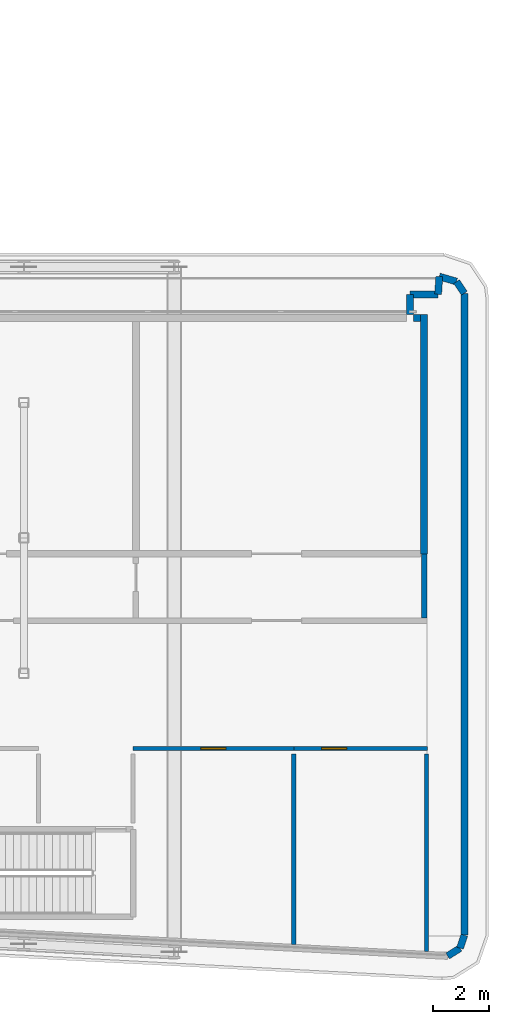
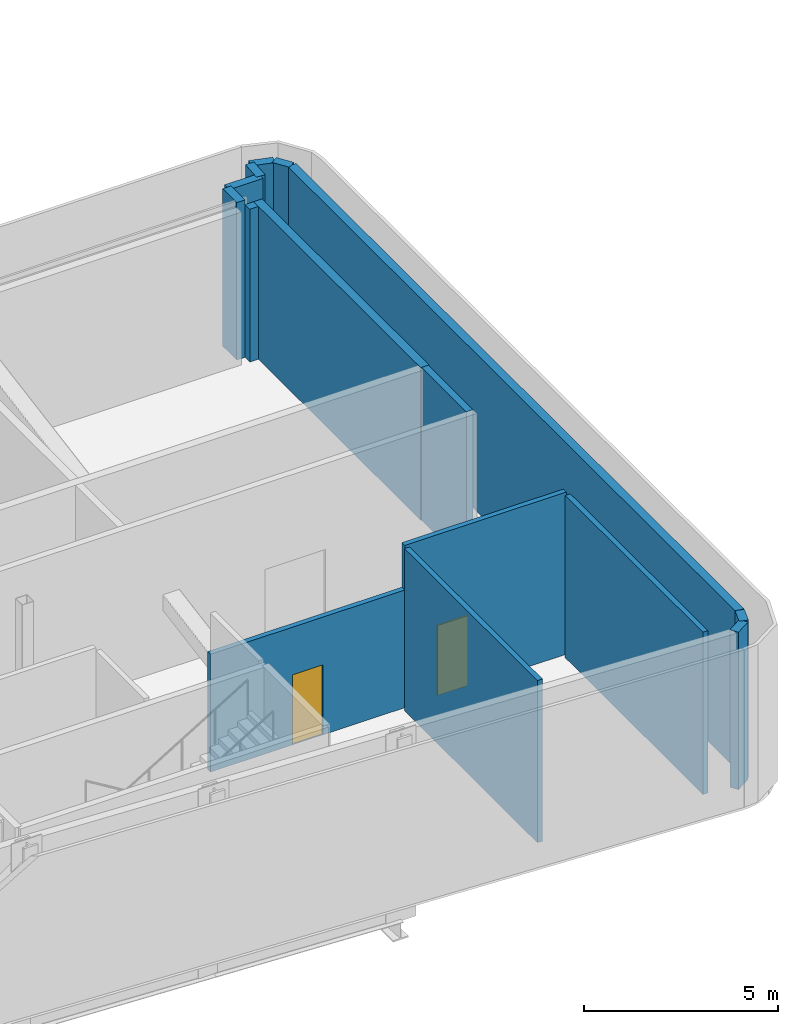
# One storey, part 22 of 30: 15 walls, 2 doors, 2 openings.
"""IFC4 building model written with IfcOpenShell, lengths in metres."""

import ifcopenshell
import ifcopenshell.guid

model = None  # the IFC model being written
_history = None  # IfcOwnerHistory: only IFC2X3 demands one
_inside = {}  # id of a spatial element -> (the spatial element, [elements in it])
_under = {}  # id of a project, library or spatial element -> (it, [spatial elements below it])
_declared = {}  # id of a project -> (the project, [libraries it declares])
_typed = {}  # id of a type object -> (the type object, [elements of that type])
_made_of = {}  # id of a material, layer set ... -> (it, [elements and type objects made of it])


def new_model(schema):
    """Start an empty IFC model of exactly this schema.

    Asked for "IFC4X3", IfcOpenShell would pick the latest addendum, in which some entities
    have other attributes; the version numbers below select the first issue.
    IFC2X3 requires an IfcOwnerHistory on every rooted entity: one is made here for all.
    """
    global model, _history
    if schema == "IFC4X3":
        model = ifcopenshell.file(schema_version=(4, 3, 0, 0))
    else:
        model = ifcopenshell.file(schema=schema)
    _inside.clear()
    _under.clear()
    _declared.clear()
    _typed.clear()
    _made_of.clear()
    _history = None
    if model.schema == "IFC2X3":
        org = make("IfcOrganization", Name="unknown")
        user = make(
            "IfcPersonAndOrganization",
            ThePerson=make("IfcPerson", FamilyName="unknown"),
            TheOrganization=org,
        )
        app = make(
            "IfcApplication",
            ApplicationDeveloper=org,
            Version="unknown",
            ApplicationFullName="unknown",
            ApplicationIdentifier="unknown",
        )
        _history = make(
            "IfcOwnerHistory",
            OwningUser=user,
            OwningApplication=app,
            ChangeAction="ADDED",
            CreationDate=0,
        )
    return model


def make(cls, **values):
    """One entity of the class cls with the attributes given. An attribute that is None is left unset."""
    return model.create_entity(
        cls, **{name: value for name, value in values.items() if value is not None}
    )


def rooted(cls, **values):
    """An entity with a GlobalId (a new one), such as an element, a storey or a relation."""
    return make(cls, GlobalId=ifcopenshell.guid.new(), OwnerHistory=_history, **values)


def si_unit(unit_type, name, prefix=None):
    """IfcSIUnit, for example si_unit("LENGTHUNIT", "METRE", prefix="MILLI")."""
    return make("IfcSIUnit", UnitType=unit_type, Prefix=prefix, Name=name)


def assignment(units):
    """IfcUnitAssignment: the units of a project."""
    return None if units is None else make("IfcUnitAssignment", Units=units)


def point(xyz):
    """IfcCartesianPoint."""
    return None if xyz is None else make("IfcCartesianPoint", Coordinates=xyz)


def direction(xyz):
    """IfcDirection."""
    return None if xyz is None else make("IfcDirection", DirectionRatios=xyz)


def frame(location, z_axis=None, x_axis=None):
    """IfcAxis2Placement3D, a coordinate frame: its origin and axes. An axis left out is left unset."""
    return make(
        "IfcAxis2Placement3D",
        Location=point(location),
        Axis=direction(z_axis),
        RefDirection=direction(x_axis),
    )


def frame_2d(location, x_axis=None):
    """IfcAxis2Placement2D, a coordinate frame in the plane: its origin and x axis."""
    return make(
        "IfcAxis2Placement2D", Location=point(location), RefDirection=direction(x_axis)
    )


def origin():
    """The frame at (0, 0, 0) with its axes left unset."""
    return frame((0.0, 0.0, 0.0))


def place(relative_to, where):
    """IfcLocalPlacement: puts the frame where relative to a parent placement (None: the world)."""
    return make(
        "IfcLocalPlacement", PlacementRelTo=relative_to, RelativePlacement=where
    )


def context(
    kind, dimensions, precision=None, world=None, true_north=None, identifier=None
):
    """IfcGeometricRepresentationContext, for example the 3D "Model" context."""
    return make(
        "IfcGeometricRepresentationContext",
        ContextIdentifier=identifier,
        ContextType=kind,
        CoordinateSpaceDimension=dimensions,
        Precision=precision,
        WorldCoordinateSystem=world,
        TrueNorth=true_north,
    )


def subcontext(parent, identifier, kind, view, scale=None):
    """IfcGeometricRepresentationSubContext, for example "Body" below "Model"."""
    return make(
        "IfcGeometricRepresentationSubContext",
        ContextIdentifier=identifier,
        ContextType=kind,
        ParentContext=parent,
        TargetScale=scale,
        TargetView=view,
    )


def project(units=None, contexts=None):
    """IfcProject with its units and contexts."""
    return rooted(
        "IfcProject",
        Name="project",
        RepresentationContexts=contexts,
        UnitsInContext=assignment(units),
    )


def spatial(cls, under=None, at=None, **own):
    """A site, building, storey or space (cls), placed at a placement, below another one or the project."""
    s = rooted(cls, ObjectPlacement=at, **own)
    if under is not None:
        _under.setdefault(under.id(), (under, []))[1].append(s)
    return s


def profile(cls, at=None, kind="AREA", **sizes):
    """A parametric profile (cls). Its sizes go by their IFC names, for example OverallWidth=200.0."""
    return make(cls, ProfileType=kind, Position=at, **sizes)


def rectangle(**sizes):
    """IfcRectangleProfileDef."""
    return profile("IfcRectangleProfileDef", **sizes)


def extrude(swept, where, along, depth):
    """IfcExtrudedAreaSolid: the profile swept, set in the frame where, extruded along a direction by depth."""
    return make(
        "IfcExtrudedAreaSolid",
        SweptArea=swept,
        Position=where,
        ExtrudedDirection=direction(along),
        Depth=depth,
    )


def shape(context_of_items, identifier, shape_type, items):
    """IfcShapeRepresentation: the items that make up one representation, for example the "Body"."""
    return make(
        "IfcShapeRepresentation",
        ContextOfItems=context_of_items,
        RepresentationIdentifier=identifier,
        RepresentationType=shape_type,
        Items=items,
    )


def source(mapping_origin, context_of_items, identifier, shape_type, items):
    """IfcRepresentationMap: a shape defined once, which mapped items show again and again."""
    return make(
        "IfcRepresentationMap",
        MappingOrigin=mapping_origin,
        MappedRepresentation=shape(context_of_items, identifier, shape_type, items),
    )


def transform(
    local_origin,
    x_axis=None,
    y_axis=None,
    z_axis=None,
    scale=None,
    scale2=None,
    scale3=None,
    uniform=True,
):
    """IfcCartesianTransformationOperator3D, or its non-uniform kind. x_axis, y_axis, z_axis: its Axis1, 2, 3."""
    if uniform:
        return make(
            "IfcCartesianTransformationOperator3D",
            Axis1=direction(x_axis),
            Axis2=direction(y_axis),
            LocalOrigin=point(local_origin),
            Scale=scale,
            Axis3=direction(z_axis),
        )
    return make(
        "IfcCartesianTransformationOperator3DnonUniform",
        Axis1=direction(x_axis),
        Axis2=direction(y_axis),
        LocalOrigin=point(local_origin),
        Scale=scale,
        Axis3=direction(z_axis),
        Scale2=scale2,
        Scale3=scale3,
    )


def mapped(mapping_source, mapping_target):
    """IfcMappedItem: shows the shape of a source again, moved by a transform."""
    return make(
        "IfcMappedItem", MappingSource=mapping_source, MappingTarget=mapping_target
    )


def material(Name=None, Category=None):
    """IfcMaterial."""
    return make("IfcMaterial", Name=Name, Category=Category)


def layer(
    of_material, thickness, ventilated=None, Name=None, Category=None, Priority=None
):
    """IfcMaterialLayer: one layer of a wall or slab, of a material (None: an air gap)."""
    return make(
        "IfcMaterialLayer",
        Material=of_material,
        LayerThickness=thickness,
        IsVentilated=ventilated,
        Name=Name,
        Category=Category,
        Priority=Priority,
    )


def layer_set(layers, Name=None):
    """IfcMaterialLayerSet."""
    return make("IfcMaterialLayerSet", MaterialLayers=layers, LayerSetName=Name)


def made_of(thing, what):
    """Note that an element or type object is made of a material, layer set ...; save() writes the relation."""
    if what is not None:
        _made_of.setdefault(what.id(), (what, []))[1].append(thing)
    return thing


def type_object(cls, material=None, **own):
    """A type object (cls), such as IfcWallType, which elements share."""
    return made_of(rooted(cls, **own), material)


def element(
    cls,
    number,
    at=None,
    inside=None,
    cuts=None,
    type_object=None,
    material=None,
    context=None,
    identifier="Body",
    shape_type=None,
    held_by="IfcProductDefinitionShape",
    body=None,
    shapes=None,
    **own,
):
    """One element of the class cls, such as IfcWall. Its Tag is "e" and its number.

    at: its placement. inside: the storey or other place that contains it. cuts: it is an
    opening in that element (IfcRelVoidsElement). A single representation is given by context,
    identifier, shape_type and body (its items); several are given by shapes. held_by: the class
    of the entity that holds the representations. save() writes the other relations.
    """
    e = rooted(cls, Tag="e%d" % number, ObjectPlacement=at, **own)
    if body is not None:
        shapes = [shape(context, identifier, shape_type, body)]
    if shapes is not None:
        e.Representation = make(held_by, Representations=shapes)
    if inside is not None:
        _inside.setdefault(inside.id(), (inside, []))[1].append(e)
    if cuts is not None:
        rooted(
            "IfcRelVoidsElement", RelatingBuildingElement=cuts, RelatedOpeningElement=e
        )
    if type_object is not None:
        _typed.setdefault(type_object.id(), (type_object, []))[1].append(e)
    return made_of(e, material)


def fill(opening, filler):
    """IfcRelFillsElement: the door or window that sits in an opening."""
    return rooted(
        "IfcRelFillsElement",
        RelatingOpeningElement=opening,
        RelatedBuildingElement=filler,
    )


def aggregate(whole, parts):
    """IfcRelAggregates: a whole, such as a stair, and the parts it consists of."""
    return rooted("IfcRelAggregates", RelatingObject=whole, RelatedObjects=parts)


def save(model, path):
    """Write the relations noted so far, then the file.

    IfcRelAggregates (storeys below a building ...), IfcRelContainedInSpatialStructure (elements
    in a storey), IfcRelDefinesByType, IfcRelAssociatesMaterial and IfcRelDeclares: one each for
    every whole, place, type object, material and project.
    """
    for whole, parts in _under.values():
        aggregate(whole, parts)
    for where, things in _inside.values():
        rooted(
            "IfcRelContainedInSpatialStructure",
            RelatedElements=things,
            RelatingStructure=where,
        )
    for kind, things in _typed.values():
        rooted("IfcRelDefinesByType", RelatedObjects=things, RelatingType=kind)
    for what, things in _made_of.values():
        rooted("IfcRelAssociatesMaterial", RelatedObjects=things, RelatingMaterial=what)
    for by, libraries in _declared.values():
        rooted("IfcRelDeclares", RelatingContext=by, RelatedDefinitions=libraries)
    model.write(path)


model = new_model("IFC4")

# Units and contexts
model_context = context("Model", 3, precision=1e-05, world=origin(), true_north=direction((0.0, 1.0)))
body_context = subcontext(model_context, "Body", "Model", "MODEL_VIEW")
ifc_project = project(units=[si_unit("LENGTHUNIT", "METRE"), si_unit("AREAUNIT", "SQUARE_METRE"), si_unit("VOLUMEUNIT", "CUBIC_METRE"), si_unit("PLANEANGLEUNIT", "RADIAN"), si_unit("MASSUNIT", "GRAM", prefix="KILO")], contexts=[model_context])

# Site, building, storey
site_placement = place(None, origin())
site = spatial("IfcSite", under=ifc_project, at=site_placement, CompositionType="ELEMENT")
building_placement = place(site_placement, origin())
building = spatial("IfcBuilding", under=site, at=building_placement, Name="Kheshtan School and Residences Tower", CompositionType="ELEMENT")
storey_placement = place(building_placement, frame((0.0, 0.0, 89.0)))
storey = spatial("IfcBuildingStorey", under=building, at=storey_placement, Name="L20", CompositionType="ELEMENT", Elevation=89.0)

# Walls
ifc_material_1 = material(Name="Gypsum board on steel studs with fire boards", Category="steel")
ifc_layer_1 = layer(ifc_material_1, 0.199951171875)
ifc_layer_set_1 = layer_set([ifc_layer_1], Name="Corridor wall 200")
wall_type_1 = type_object("IfcWallType", Name="Corridor wall 200", PredefinedType="PARTITIONING", material=ifc_layer_set_1)
wall_1_placement = place(storey_placement, frame((99.780029296875, 33.0, 0.0), z_axis=(0.0, 0.0, 1.0), x_axis=(0.0, 1.0, 0.0)))
element("IfcWall", 1, at=wall_1_placement, inside=storey, type_object=wall_type_1, Name="Partition L20-053", PredefinedType="PARTITIONING", context=body_context, shape_type="SweptSolid", body=[
    extrude(rectangle(XDim=2.300048828125, YDim=0.199951171875, at=frame_2d((1.14990234375, 0.0))), origin(), (0.0, 0.0, 1.0), 4.800048828125),
])
ifc_material_2 = material(Name="Concrete C40/50 with ceramic cladding and mineral wool insulation", Category="concrete")
ifc_layer_2 = layer(ifc_material_2, 0.25)
ifc_layer_set_2 = layer_set([ifc_layer_2], Name="External wall 250 ceramic clad")
wall_type_2 = type_object("IfcWallType", Name="External wall 250 ceramic clad", PredefinedType="SOLIDWALL", material=ifc_layer_set_2)
wall_2_placement = place(storey_placement, frame((99.27490234375, 43.89990234375, 0.0), z_axis=(0.0, 0.0, 1.0), x_axis=(0.0, 1.0, 0.0)))
element("IfcWall", 2, at=wall_2_placement, inside=storey, type_object=wall_type_2, Name="External wall L20 6", PredefinedType="SOLIDWALL", context=body_context, shape_type="SweptSolid", body=[
    extrude(rectangle(XDim=0.72509765625, YDim=0.25, at=frame_2d((0.362548828125, 0.0))), origin(), (0.0, 0.0, 1.0), 4.949951171875),
])
wall_3_placement = place(storey_placement, frame((99.27490234375, 44.625, 0.0), z_axis=(0.0, 0.0, 1.0), x_axis=(1.0, 0.0, 0.0)))
element("IfcWall", 3, at=wall_3_placement, inside=storey, type_object=wall_type_2, Name="External wall L20 7", PredefinedType="SOLIDWALL", context=body_context, shape_type="SweptSolid", body=[
    extrude(rectangle(XDim=1.009033203125, YDim=0.25, at=frame_2d((0.50439453125, 0.0))), origin(), (0.0, 0.0, 1.0), 4.949951171875),
])
wall_4_placement = place(storey_placement, frame((100.283935546875, 44.625, 0.0), z_axis=(0.0, 0.0, 1.0), x_axis=(0.064063773599, 0.997945806601, 0.0)))
element("IfcWall", 4, at=wall_4_placement, inside=storey, type_object=wall_type_2, Name="External wall L20 8", PredefinedType="SOLIDWALL", context=body_context, shape_type="SweptSolid", body=[
    extrude(rectangle(XDim=0.64013671875, YDim=0.25, at=frame_2d((0.320068359375, 0.0))), origin(), (0.0, 0.0, 1.0), 4.949951171875),
])
wall_5_placement = place(storey_placement, frame((100.324951171875, 45.263916015625, 0.0), z_axis=(0.0, 0.0, 1.0), x_axis=(0.959045729461, -0.283251282085, 0.0)))
element("IfcWall", 5, at=wall_5_placement, inside=storey, type_object=wall_type_2, Name="External wall L20 9", PredefinedType="SOLIDWALL", context=body_context, shape_type="SweptSolid", body=[
    extrude(rectangle(XDim=0.6455078125, YDim=0.25, at=frame_2d((0.32275390625, 0.0))), origin(), (0.0, 0.0, 1.0), 4.949951171875),
])
wall_6_placement = place(storey_placement, frame((100.944091796875, 45.0810546875, 0.0), z_axis=(0.0, 0.0, 1.0), x_axis=(0.555033995455, -0.831827664778, 0.0)))
element("IfcWall", 6, at=wall_6_placement, inside=storey, type_object=wall_type_2, Name="External wall L20 10", PredefinedType="SOLIDWALL", context=body_context, shape_type="SweptSolid", body=[
    extrude(rectangle(XDim=0.50634765625, YDim=0.25, at=frame_2d((0.253173828125, 0.0))), origin(), (0.0, 0.0, 1.0), 4.949951171875),
])
wall_7_placement = place(storey_placement, frame((101.22509765625, 44.659912109375, 0.0), z_axis=(0.0, 0.0, 1.0), x_axis=(0.0, -1.0, 0.0)))
element("IfcWall", 7, at=wall_7_placement, inside=storey, type_object=wall_type_2, Name="External wall L20 11", PredefinedType="SOLIDWALL", context=body_context, shape_type="SweptSolid", body=[
    extrude(rectangle(XDim=23.06787109375, YDim=0.25, at=frame_2d((11.533935546875, 0.0))), origin(), (0.0, 0.0, 1.0), 4.949951171875),
])
wall_8_placement = place(storey_placement, frame((101.22509765625, 21.592041015625, 0.0), z_axis=(0.0, 0.0, 1.0), x_axis=(-0.310245653009, -0.950656423104, 0.0)))
element("IfcWall", 8, at=wall_8_placement, inside=storey, type_object=wall_type_2, Name="External wall L20 12", PredefinedType="SOLIDWALL", context=body_context, shape_type="SweptSolid", body=[
    extrude(rectangle(XDim=0.490234375, YDim=0.25, at=frame_2d((0.2451171875, 0.0))), origin(), (0.0, 0.0, 1.0), 4.949951171875),
])
wall_9_placement = place(storey_placement, frame((101.072998046875, 21.1259765625, 0.0), z_axis=(0.0, 0.0, 1.0), x_axis=(-0.849633012236, -0.527374387432, 0.0)))
element("IfcWall", 9, at=wall_9_placement, inside=storey, type_object=wall_type_2, Name="External wall L20 13", PredefinedType="SOLIDWALL", context=body_context, shape_type="SweptSolid", body=[
    extrude(rectangle(XDim=0.52734375, YDim=0.25, at=frame_2d((0.263671875, 0.0))), origin(), (0.0, 0.0, 1.0), 4.949951171875),
])
ifc_material_3 = material(Name="Fire-board and steel stud wall with mineral wool", Category="steel")
ifc_layer_3 = layer(ifc_material_3, 0.25)
ifc_layer_set_3 = layer_set([ifc_layer_3], Name="Refuge compartment wall 250")
wall_type_3 = type_object("IfcWallType", Name="Refuge compartment wall 250", PredefinedType="PARTITIONING", material=ifc_layer_set_3)
wall_10_placement = place(storey_placement, frame((99.39892578125, 43.780029296875, 0.0), z_axis=(0.0, 0.0, 1.0), x_axis=(1.0, 0.0, 0.0)))
element("IfcWall", 10, at=wall_10_placement, inside=storey, type_object=wall_type_3, Name="Partition L20-052", PredefinedType="PARTITIONING", context=body_context, shape_type="SweptSolid", body=[
    extrude(rectangle(XDim=0.256103515625, YDim=0.25, at=frame_2d((0.1279296875, 0.0))), origin(), (0.0, 0.0, 1.0), 4.800048828125),
])
wall_11_placement = place(storey_placement, frame((99.780029296875, 35.300048828125, 0.0), z_axis=(0.0, 0.0, 1.0), x_axis=(0.0, 1.0, 0.0)))
element("IfcWall", 11, at=wall_11_placement, inside=storey, type_object=wall_type_3, Name="Partition L20-054", PredefinedType="PARTITIONING", context=body_context, shape_type="SweptSolid", body=[
    extrude(rectangle(XDim=8.60498046875, YDim=0.25, at=frame_2d((4.302490234375, 0.0))), origin(), (0.0, 0.0, 1.0), 4.800048828125),
])

# Wall, opening, door
ifc_material_4 = material(Name="Fire-board shaft wall system")
ifc_layer_4 = layer(ifc_material_4, 0.14990234375)
ifc_layer_set_4 = layer_set([ifc_layer_4], Name="Service room wall 150")
wall_type_4 = type_object("IfcWallType", Name="Service room wall 150", PredefinedType="PARTITIONING", material=ifc_layer_set_4)
wall_12_placement = place(storey_placement, frame((89.320068359375, 28.300048828125, 0.0), z_axis=(0.0, 0.0, 1.0), x_axis=(1.0, 0.0, 0.0)))
wall_12 = element("IfcWall", 12, at=wall_12_placement, inside=storey, type_object=wall_type_4, Name="Service room wall", PredefinedType="PARTITIONING", context=body_context, shape_type="SweptSolid", body=[
    extrude(rectangle(XDim=5.77587890625, YDim=0.14990234375, at=frame_2d((2.887939453125, 0.0))), origin(), (0.0, 0.0, 1.0), 3.699951171875),
])
opening_1_placement = place(wall_12_placement, frame((2.43798828125, 0.0, 0.0)))
opening_1 = element("IfcOpeningElement", 13, at=opening_1_placement, cuts=wall_12, Name="Opening SR90", PredefinedType="OPENING", context=body_context, shape_type="SweptSolid", body=[
    extrude(rectangle(XDim=0.89990234375, YDim=2.199951171875, at=frame_2d((0.449951171875, 1.10009765625))), frame((0.0, 0.0849609375, 0.0), z_axis=(0.0, -1.0, 0.0), x_axis=(1.0, 0.0, 0.0)), (0.0, 0.0, 1.0), 0.169921875),
])
ifc_material_5 = material(Name="Steel door leaf, galvanised", Category="steel")
door_type = type_object("IfcDoorType", Name="Service room door 900 steel 90 min", OperationType="SINGLE_SWING_LEFT", PredefinedType="DOOR", material=ifc_material_5)
shared_shape = source(origin(), body_context, "Body", "SweptSolid", [
    extrude(rectangle(XDim=0.89990234375, YDim=2.199951171875, at=frame_2d((0.449951171875, 1.10009765625))), frame((0.0, 0.02490234375, 0.0), z_axis=(0.0, -1.0, 0.0), x_axis=(1.0, 0.0, 0.0)), (0.0, 0.0, 1.0), 0.050048828125),
])
door_1_placement = place(opening_1_placement, origin())
door_1 = element("IfcDoor", 14, at=door_1_placement, inside=storey, type_object=door_type, Name="Service room door", OperationType="SINGLE_SWING_LEFT", OverallHeight=2.199951171875, OverallWidth=0.89990234375, PredefinedType="DOOR", context=body_context, shape_type="MappedRepresentation", body=[
    mapped(shared_shape, transform((0.0, 0.0, 0.0), x_axis=(1.0, 0.0, 0.0), y_axis=(0.0, 1.0, 0.0), z_axis=(0.0, 0.0, 1.0), scale=1.0)),
])
fill(opening_1, door_1)

# Wall
wall_13_placement = place(storey_placement, frame((95.095947265625, 21.26708984375, 0.0), z_axis=(0.0, 0.0, 1.0), x_axis=(0.0, 1.0, 0.0)))
element("IfcWall", 15, at=wall_13_placement, inside=storey, type_object=wall_type_4, Name="Service room wall", PredefinedType="PARTITIONING", context=body_context, shape_type="SweptSolid", body=[
    extrude(rectangle(XDim=6.837890625, YDim=0.14990234375, at=frame_2d((3.4189453125, 0.0))), origin(), (0.0, 0.0, 1.0), 5.10009765625),
])

# Wall, opening, door
wall_14_placement = place(storey_placement, frame((95.095947265625, 28.300048828125, 0.0), z_axis=(0.0, 0.0, 1.0), x_axis=(1.0, 0.0, 0.0)))
wall_14 = element("IfcWall", 16, at=wall_14_placement, inside=storey, type_object=wall_type_4, Name="Service room wall", PredefinedType="PARTITIONING", context=body_context, shape_type="SweptSolid", body=[
    extrude(rectangle(XDim=4.802001953125, YDim=0.14990234375, at=frame_2d((2.40087890625, 0.0))), origin(), (0.0, 0.0, 1.0), 5.10009765625),
])
opening_2_placement = place(wall_14_placement, frame((1.001953125, 0.0, 0.0)))
opening_2 = element("IfcOpeningElement", 17, at=opening_2_placement, cuts=wall_14, Name="Opening SR90", PredefinedType="OPENING", context=body_context, shape_type="SweptSolid", body=[
    extrude(rectangle(XDim=0.89990234375, YDim=2.199951171875, at=frame_2d((0.449951171875, 1.10009765625))), frame((0.0, 0.0849609375, 0.0), z_axis=(0.0, -1.0, 0.0), x_axis=(1.0, 0.0, 0.0)), (0.0, 0.0, 1.0), 0.169921875),
])
door_2_placement = place(opening_2_placement, origin())
door_2 = element("IfcDoor", 18, at=door_2_placement, inside=storey, type_object=door_type, Name="Service room door", OperationType="SINGLE_SWING_LEFT", OverallHeight=2.199951171875, OverallWidth=0.89990234375, PredefinedType="DOOR", context=body_context, shape_type="MappedRepresentation", body=[
    mapped(shared_shape, transform((0.0, 0.0, 0.0), x_axis=(1.0, 0.0, 0.0), y_axis=(0.0, 1.0, 0.0), z_axis=(0.0, 0.0, 1.0), scale=1.0)),
])
fill(opening_2, door_2)

# Wall
wall_15_placement = place(storey_placement, frame((99.8701171875, 21.014892578125, 0.0), z_axis=(0.0, 0.0, 1.0), x_axis=(0.0, 1.0, 0.0)))
element("IfcWall", 19, at=wall_15_placement, inside=storey, type_object=wall_type_4, Name="Service room wall", PredefinedType="PARTITIONING", context=body_context, shape_type="SweptSolid", body=[
    extrude(rectangle(XDim=7.090087890625, YDim=0.14990234375, at=frame_2d((3.544921875, 0.0))), origin(), (0.0, 0.0, 1.0), 5.10009765625),
])

save(model, "model.ifc")
